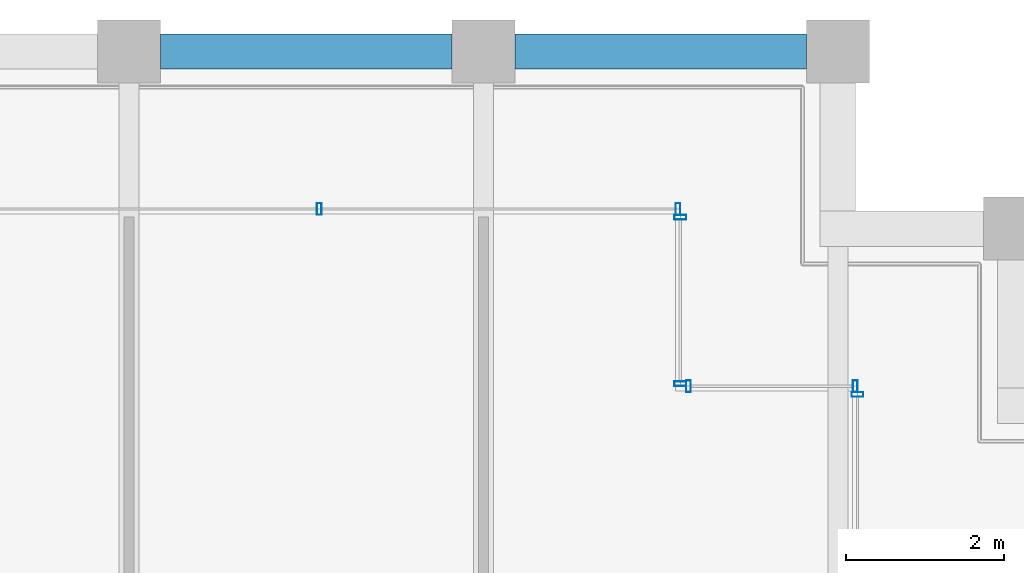
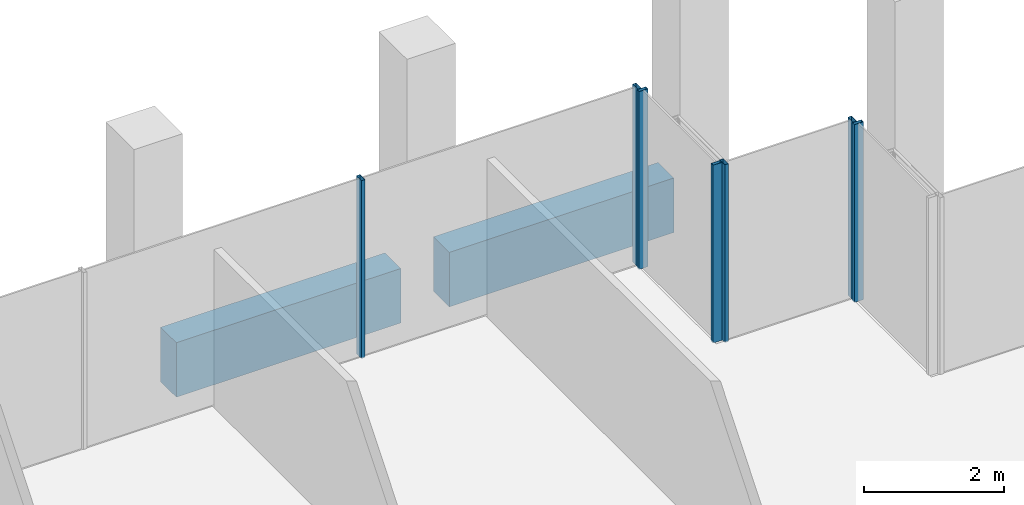
# One storey, part 26 of 40: 7 members, 2 beams, 4 elements without a shape of their own.
"""IFC4 building model written with IfcOpenShell, lengths in metres."""

from ifc_helpers import new_model, si_unit, direction, frame, origin, origin_2d, place, context, subcontext, project, spatial, rectangle, hollow_rectangle, extrude, material, material_profile, profile_set, type_object, element, aggregate, save


model = new_model("IFC4")

# Units and contexts
model_context = context("Model", 3, precision=1e-05, world=origin(), true_north=direction((0.0, 1.0)))
body_context = subcontext(model_context, "Body", "Model", "MODEL_VIEW")
ifc_project = project(units=[si_unit("LENGTHUNIT", "METRE"), si_unit("AREAUNIT", "SQUARE_METRE"), si_unit("VOLUMEUNIT", "CUBIC_METRE"), si_unit("PLANEANGLEUNIT", "RADIAN"), si_unit("MASSUNIT", "GRAM", prefix="KILO")], contexts=[model_context])

# Site, building, storey
site_placement = place(None, origin())
site = spatial("IfcSite", under=ifc_project, at=site_placement, CompositionType="ELEMENT")
building_placement = place(site_placement, origin())
building = spatial("IfcBuilding", under=site, at=building_placement, Name="Altepetl Exchange Towers", CompositionType="ELEMENT")
storey_placement = place(building_placement, frame((0.0, 0.0, 199.199951171875)))
storey = spatial("IfcBuildingStorey", under=building, at=storey_placement, Name="L50", CompositionType="ELEMENT", Elevation=199.199951171875)

# Curtain wall, member
ifc_material_1 = material(Name="Aluminium 6063-T6 glazing", Category="aluminium")
curtain_wall_type = type_object("IfcCurtainWallType", Name="Loggia glazing system", PredefinedType="NOTDEFINED", material=ifc_material_1)
curtain_wall_1_placement = place(storey_placement, origin())
curtain_wall_1 = element("IfcCurtainWall", 1, at=curtain_wall_1_placement, inside=storey, type_object=curtain_wall_type, Name="CW1 run", PredefinedType="NOTDEFINED")
ifc_material_2 = material(Name="Aluminium 6063-T6", Category="aluminium")
ifc_material_profile_1 = material_profile(ifc_material_2, hollow_rectangle(XDim=0.06005859375, YDim=0.14990234375, WallThickness=0.0029296875, at=origin_2d()), Name="Mullion 60x150 aluminium")
ifc_profile_set_1 = profile_set([ifc_material_profile_1], Name="Aluminium 6063-T6")
member_type = type_object("IfcMemberType", Name="Mullion 60x150 aluminium", PredefinedType="MULLION", material=ifc_profile_set_1)
member_1_placement = place(storey_placement, frame((67.75, 67.64501953125, 0.0), z_axis=(0.0, 0.0, 1.0), x_axis=(0.0, 1.0, 0.0)))
member_1 = element("IfcMember", 2, at=member_1_placement, type_object=member_type, Name="MU1 mullion", PredefinedType="MULLION", context=body_context, shape_type="SweptSolid", body=[
    extrude(hollow_rectangle(XDim=0.06005859375, YDim=0.14990234375, WallThickness=0.0029296875, at=origin_2d()), origin(), (0.0, 0.0, 1.0), 3.10009765625),
])
aggregate(curtain_wall_1, [member_1])

# Curtain wall, members
curtain_wall_2_placement = place(storey_placement, origin())
curtain_wall_2 = element("IfcCurtainWall", 3, at=curtain_wall_2_placement, inside=storey, type_object=curtain_wall_type, Name="CW1 run", PredefinedType="NOTDEFINED")
member_2_placement = place(storey_placement, frame((67.719970703125, 67.75, 0.0), z_axis=(0.0, 0.0, 1.0), x_axis=(-1.0, 0.0, 0.0)))
member_2 = element("IfcMember", 4, at=member_2_placement, type_object=member_type, Name="MU1 mullion", PredefinedType="MULLION", context=body_context, shape_type="SweptSolid", body=[
    extrude(hollow_rectangle(XDim=0.06005859375, YDim=0.14990234375, WallThickness=0.0029296875, at=origin_2d()), origin(), (0.0, 0.0, 1.0), 3.10009765625),
])
member_3_placement = place(storey_placement, frame((65.60498046875, 67.75, 0.0), z_axis=(0.0, 0.0, 1.0), x_axis=(-1.0, 0.0, 0.0)))
member_3 = element("IfcMember", 5, at=member_3_placement, type_object=member_type, Name="MU1 mullion", PredefinedType="MULLION", context=body_context, shape_type="SweptSolid", body=[
    extrude(hollow_rectangle(XDim=0.06005859375, YDim=0.14990234375, WallThickness=0.0029296875, at=origin_2d()), origin(), (0.0, 0.0, 1.0), 3.10009765625),
])
aggregate(curtain_wall_2, [member_2, member_3])

curtain_wall_3_placement = place(storey_placement, origin())
curtain_wall_3 = element("IfcCurtainWall", 6, at=curtain_wall_3_placement, inside=storey, type_object=curtain_wall_type, Name="CW1 run", PredefinedType="NOTDEFINED")
member_4_placement = place(storey_placement, frame((65.5, 67.780029296875, 0.0), z_axis=(0.0, 0.0, 1.0), x_axis=(0.0, 1.0, 0.0)))
member_4 = element("IfcMember", 7, at=member_4_placement, type_object=member_type, Name="MU1 mullion", PredefinedType="MULLION", context=body_context, shape_type="SweptSolid", body=[
    extrude(hollow_rectangle(XDim=0.06005859375, YDim=0.14990234375, WallThickness=0.0029296875, at=origin_2d()), origin(), (0.0, 0.0, 1.0), 3.10009765625),
])
member_5_placement = place(storey_placement, frame((65.5, 69.89501953125, 0.0), z_axis=(0.0, 0.0, 1.0), x_axis=(0.0, 1.0, 0.0)))
member_5 = element("IfcMember", 8, at=member_5_placement, type_object=member_type, Name="MU1 mullion", PredefinedType="MULLION", context=body_context, shape_type="SweptSolid", body=[
    extrude(hollow_rectangle(XDim=0.06005859375, YDim=0.14990234375, WallThickness=0.0029296875, at=origin_2d()), origin(), (0.0, 0.0, 1.0), 3.10009765625),
])
aggregate(curtain_wall_3, [member_4, member_5])

curtain_wall_4_placement = place(storey_placement, origin())
curtain_wall_4 = element("IfcCurtainWall", 9, at=curtain_wall_4_placement, inside=storey, type_object=curtain_wall_type, Name="CW1 run", PredefinedType="NOTDEFINED")
member_6_placement = place(storey_placement, frame((65.469970703125, 70.0, 0.0), z_axis=(0.0, 0.0, 1.0), x_axis=(-1.0, 0.0, 0.0)))
member_6 = element("IfcMember", 10, at=member_6_placement, type_object=member_type, Name="MU1 mullion", PredefinedType="MULLION", context=body_context, shape_type="SweptSolid", body=[
    extrude(hollow_rectangle(XDim=0.06005859375, YDim=0.14990234375, WallThickness=0.0029296875, at=origin_2d()), origin(), (0.0, 0.0, 1.0), 3.10009765625),
])
member_7_placement = place(storey_placement, frame((60.9150390625, 70.0, 0.0), z_axis=(0.0, 0.0, 1.0), x_axis=(-1.0, 0.0, 0.0)))
member_7 = element("IfcMember", 11, at=member_7_placement, type_object=member_type, Name="MU1 mullion", PredefinedType="MULLION", context=body_context, shape_type="SweptSolid", body=[
    extrude(hollow_rectangle(XDim=0.06005859375, YDim=0.14990234375, WallThickness=0.0029296875, at=origin_2d()), origin(), (0.0, 0.0, 1.0), 3.10009765625),
])
aggregate(curtain_wall_4, [member_6, member_7])

# Beams
ifc_material_3 = material(Name="Concrete C50/60 precast with cantera rosa facing", Category="concrete")
ifc_material_profile_2 = material_profile(ifc_material_3, rectangle(XDim=0.449951171875, YDim=0.949951171875, at=origin_2d()), Name="450 x 950")
ifc_profile_set_2 = profile_set([ifc_material_profile_2], Name="Concrete C50/60 precast with cantera rosa facing")
beam_type = type_object("IfcBeamType", Name="Spandrel beam 450x950 cantera rosa", PredefinedType="SPANDREL", material=ifc_profile_set_2)
for number, where, z_axis, x_axis, name in (
    (12, (67.10009765625, 72.0, -0.625), (-1.0, 0.0, 0.0), (0.0, -1.0, 0.0), "sp:A:L50:024"),
    (13, (62.60009765625, 72.0, -0.625), (-1.0, 0.0, 0.0), (0.0, -1.0, 0.0), "sp:A:L50:025"),
):
    element("IfcBeam", number, at=place(storey_placement, frame(where, z_axis=z_axis, x_axis=x_axis)), inside=storey, type_object=beam_type, Name=name, PredefinedType="SPANDREL", context=body_context, shape_type="SweptSolid", body=[
        extrude(rectangle(XDim=0.449951171875, YDim=0.949951171875, at=origin_2d()), origin(), (0.0, 0.0, 1.0), 3.7001953125),
    ])

save(model, "model.ifc")
